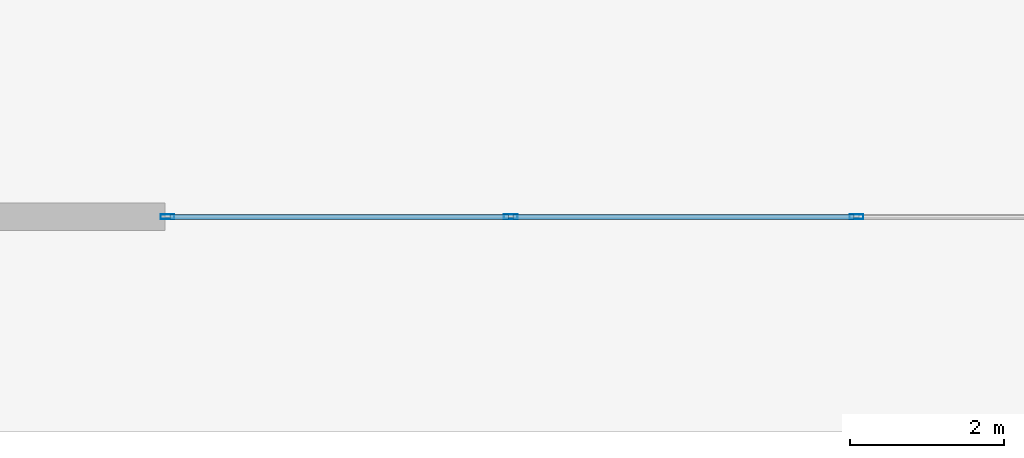
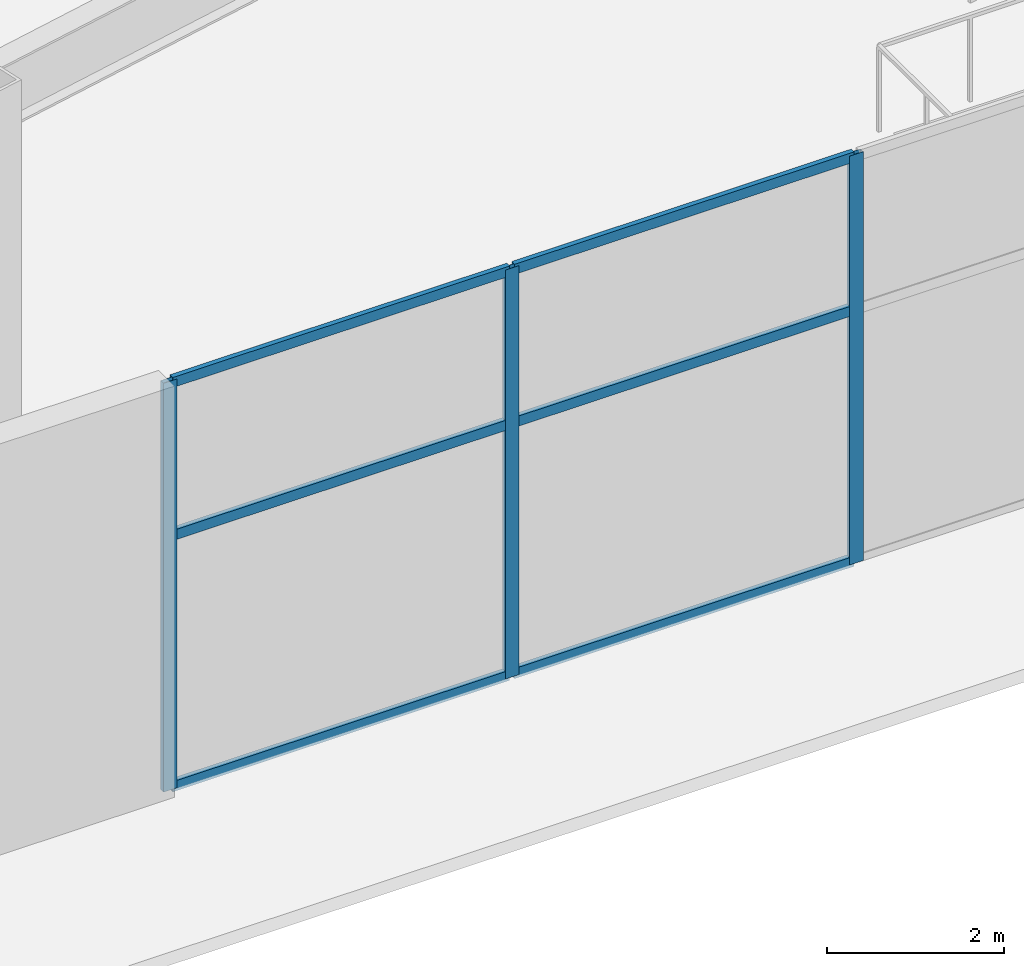
# One storey, part 10 of 30: 9 members, 1 element without a shape of its own.
"""IFC4 building model written with IfcOpenShell, lengths in metres."""

from ifc_helpers import new_model, si_unit, direction, frame, origin, origin_2d, place, context, subcontext, project, spatial, hollow_rectangle, extrude, material, layer, layer_set, material_profile, profile_set, type_object, element, aggregate, save


model = new_model("IFC4")

# Units and contexts
model_context = context("Model", 3, precision=1e-05, world=origin(), true_north=direction((0.0, 1.0)))
body_context = subcontext(model_context, "Body", "Model", "MODEL_VIEW")
ifc_project = project(units=[si_unit("LENGTHUNIT", "METRE"), si_unit("AREAUNIT", "SQUARE_METRE"), si_unit("VOLUMEUNIT", "CUBIC_METRE"), si_unit("PLANEANGLEUNIT", "RADIAN"), si_unit("MASSUNIT", "GRAM", prefix="KILO")], contexts=[model_context])

# Site, building, storey
site_placement = place(None, origin())
site = spatial("IfcSite", under=ifc_project, at=site_placement, CompositionType="ELEMENT")
building_placement = place(site_placement, origin())
building = spatial("IfcBuilding", under=site, at=building_placement, Name="Haevon Station Towers", CompositionType="ELEMENT")
storey_placement = place(building_placement, origin())
storey = spatial("IfcBuildingStorey", under=building, at=storey_placement, Name="L00", CompositionType="ELEMENT", Elevation=0.0)

# Curtain wall, members
ifc_material_1 = material(Name="Anodised aluminium and Low-E double glazing", Category="aluminium")
ifc_layer = layer(ifc_material_1, 0.179931640625)
ifc_layer_set = layer_set([ifc_layer], Name="Anodised aluminium and Low-E double glazing")
curtain_wall_type = type_object("IfcCurtainWallType", Name="CW-SYS1", PredefinedType="NOTDEFINED", material=ifc_layer_set)
curtain_wall_placement = place(storey_placement, origin())
curtain_wall = element("IfcCurtainWall", 1, at=curtain_wall_placement, inside=storey, type_object=curtain_wall_type, Name="L00 Curtain Wall CW-POD-L00-S1", PredefinedType="NOTDEFINED")
ifc_material_2 = material(Name="Anodised aluminium 6063-T6", Category="aluminium")
ifc_material_profile_1 = material_profile(ifc_material_2, hollow_rectangle(XDim=0.06494140625, YDim=0.179931640625, WallThickness=0.00390625, at=origin_2d()), Name="CWM-180x65x4")
ifc_profile_set_1 = profile_set([ifc_material_profile_1], Name="Anodised aluminium 6063-T6")
member_type_1 = type_object("IfcMemberType", Name="CWM-180", PredefinedType="MULLION", material=ifc_profile_set_1)
member_1_placement = place(storey_placement, frame((97.0, 4.5, 0.0), z_axis=(0.0, 0.0, 1.0), x_axis=(0.0, -1.0, 0.0)))
member_1 = element("IfcMember", 2, at=member_1_placement, type_object=member_type_1, Name="CW-SYS1 mullion 3", PredefinedType="MULLION", context=body_context, shape_type="SweptSolid", body=[
    extrude(hollow_rectangle(XDim=0.06494140625, YDim=0.179931640625, WallThickness=0.00390625, at=origin_2d()), origin(), (0.0, 0.0, 1.0), 5.64990234375),
])
member_2_placement = place(storey_placement, frame((92.5, 4.5, 0.0), z_axis=(0.0, 0.0, 1.0), x_axis=(0.0, -1.0, 0.0)))
member_2 = element("IfcMember", 3, at=member_2_placement, type_object=member_type_1, Name="CW-SYS1 mullion 4", PredefinedType="MULLION", context=body_context, shape_type="SweptSolid", body=[
    extrude(hollow_rectangle(XDim=0.06494140625, YDim=0.179931640625, WallThickness=0.00390625, at=origin_2d()), origin(), (0.0, 0.0, 1.0), 5.64990234375),
])
member_3_placement = place(storey_placement, frame((88.032470703125, 4.5, 0.0), z_axis=(0.0, 0.0, 1.0), x_axis=(0.0, -1.0, 0.0)))
member_3 = element("IfcMember", 4, at=member_3_placement, type_object=member_type_1, Name="CW-SYS1 mullion 5", PredefinedType="MULLION", context=body_context, shape_type="SweptSolid", body=[
    extrude(hollow_rectangle(XDim=0.06494140625, YDim=0.179931640625, WallThickness=0.00390625, at=origin_2d()), origin(), (0.0, 0.0, 1.0), 5.64990234375),
])
ifc_material_profile_2 = material_profile(ifc_material_2, hollow_rectangle(XDim=0.06494140625, YDim=0.139892578125, WallThickness=0.00341796875, at=origin_2d()), Name="CWT-140x65x3.5")
ifc_profile_set_2 = profile_set([ifc_material_profile_2], Name="Anodised aluminium 6063-T6")
member_type_2 = type_object("IfcMemberType", Name="CWT-140", PredefinedType="USERDEFINED", material=ifc_profile_set_2)
member_4_placement = place(storey_placement, frame((96.967529296875, 4.5, 0.032470703125), z_axis=(-1.0, 0.0, 0.0), x_axis=(0.0, -1.0, 0.0)))
member_4 = element("IfcMember", 5, at=member_4_placement, type_object=member_type_2, Name="CW-SYS1 transom 3.1", ObjectType="TRANSOM", PredefinedType="USERDEFINED", context=body_context, shape_type="SweptSolid", body=[
    extrude(hollow_rectangle(XDim=0.06494140625, YDim=0.139892578125, WallThickness=0.00341796875, at=origin_2d()), origin(), (0.0, 0.0, 1.0), 4.43505859375),
])
member_5_placement = place(storey_placement, frame((96.967529296875, 4.5, 3.5029296875), z_axis=(-1.0, 0.0, 0.0), x_axis=(0.0, -1.0, 0.0)))
member_5 = element("IfcMember", 6, at=member_5_placement, type_object=member_type_2, Name="CW-SYS1 transom 3.2", ObjectType="TRANSOM", PredefinedType="USERDEFINED", context=body_context, shape_type="SweptSolid", body=[
    extrude(hollow_rectangle(XDim=0.06494140625, YDim=0.139892578125, WallThickness=0.00341796875, at=origin_2d()), origin(), (0.0, 0.0, 1.0), 4.43505859375),
])
member_6_placement = place(storey_placement, frame((96.967529296875, 4.5, 5.617431640625), z_axis=(-1.0, 0.0, 0.0), x_axis=(0.0, -1.0, 0.0)))
member_6 = element("IfcMember", 7, at=member_6_placement, type_object=member_type_2, Name="CW-SYS1 transom 3.3", ObjectType="TRANSOM", PredefinedType="USERDEFINED", context=body_context, shape_type="SweptSolid", body=[
    extrude(hollow_rectangle(XDim=0.06494140625, YDim=0.139892578125, WallThickness=0.00341796875, at=origin_2d()), origin(), (0.0, 0.0, 1.0), 4.43505859375),
])
member_7_placement = place(storey_placement, frame((92.467529296875, 4.5, 0.032470703125), z_axis=(-1.0, 0.0, 0.0), x_axis=(0.0, -1.0, 0.0)))
member_7 = element("IfcMember", 8, at=member_7_placement, type_object=member_type_2, Name="CW-SYS1 transom 4.1", ObjectType="TRANSOM", PredefinedType="USERDEFINED", context=body_context, shape_type="SweptSolid", body=[
    extrude(hollow_rectangle(XDim=0.06494140625, YDim=0.139892578125, WallThickness=0.00341796875, at=origin_2d()), origin(), (0.0, 0.0, 1.0), 4.402587890625),
])
member_8_placement = place(storey_placement, frame((92.467529296875, 4.5, 3.5029296875), z_axis=(-1.0, 0.0, 0.0), x_axis=(0.0, -1.0, 0.0)))
member_8 = element("IfcMember", 9, at=member_8_placement, type_object=member_type_2, Name="CW-SYS1 transom 4.2", ObjectType="TRANSOM", PredefinedType="USERDEFINED", context=body_context, shape_type="SweptSolid", body=[
    extrude(hollow_rectangle(XDim=0.06494140625, YDim=0.139892578125, WallThickness=0.00341796875, at=origin_2d()), origin(), (0.0, 0.0, 1.0), 4.402587890625),
])
member_9_placement = place(storey_placement, frame((92.467529296875, 4.5, 5.617431640625), z_axis=(-1.0, 0.0, 0.0), x_axis=(0.0, -1.0, 0.0)))
member_9 = element("IfcMember", 10, at=member_9_placement, type_object=member_type_2, Name="CW-SYS1 transom 4.3", ObjectType="TRANSOM", PredefinedType="USERDEFINED", context=body_context, shape_type="SweptSolid", body=[
    extrude(hollow_rectangle(XDim=0.06494140625, YDim=0.139892578125, WallThickness=0.00341796875, at=origin_2d()), origin(), (0.0, 0.0, 1.0), 4.402587890625),
])
aggregate(curtain_wall, [member_1, member_2, member_3, member_4, member_5, member_6, member_7, member_8, member_9])

save(model, "model.ifc")
